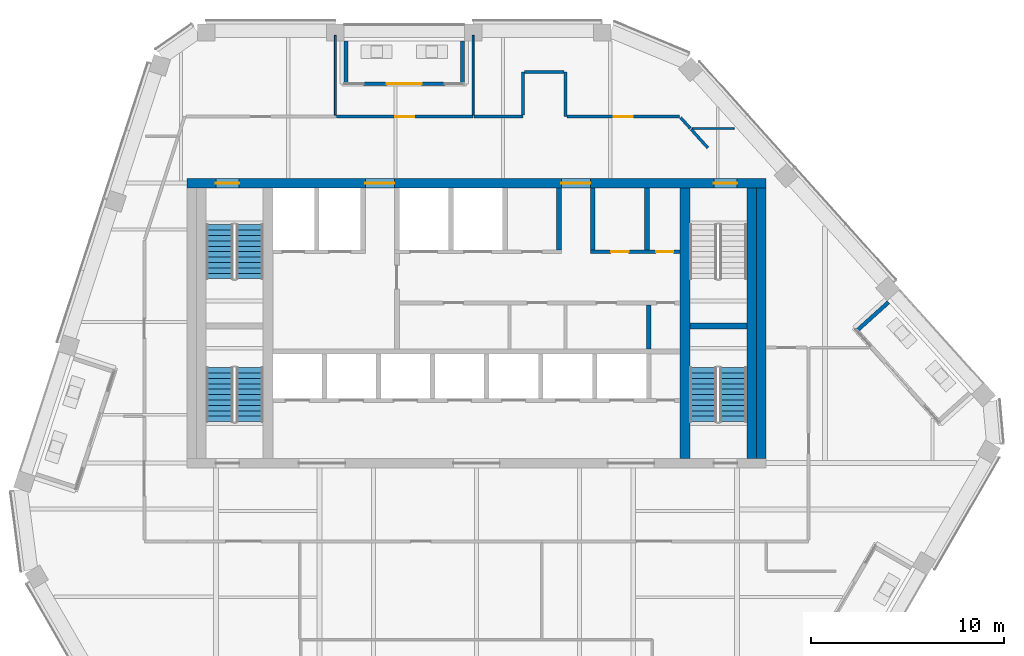
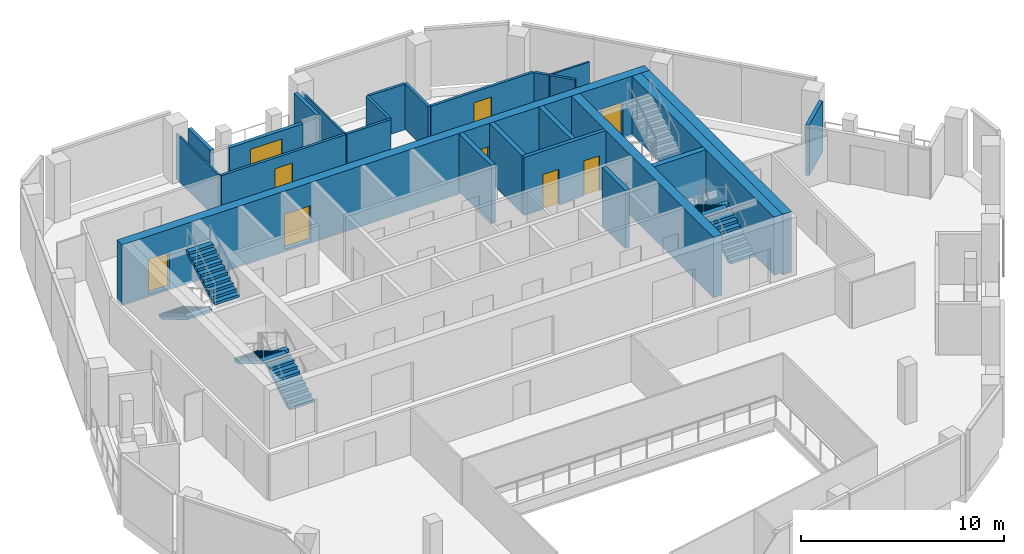
# One storey, part 13 of 20: 25 walls, 9 doors, 6 stair flights, 9 openings, 3 elements without a shape of their own.
"""IFC4 building model written with IfcOpenShell, lengths in metres."""

import ifcopenshell
import ifcopenshell.guid

model = None  # the IFC model being written
_history = None  # IfcOwnerHistory: only IFC2X3 demands one
_inside = {}  # id of a spatial element -> (the spatial element, [elements in it])
_under = {}  # id of a project, library or spatial element -> (it, [spatial elements below it])
_declared = {}  # id of a project -> (the project, [libraries it declares])
_typed = {}  # id of a type object -> (the type object, [elements of that type])
_made_of = {}  # id of a material, layer set ... -> (it, [elements and type objects made of it])


def new_model(schema):
    """Start an empty IFC model of exactly this schema.

    Asked for "IFC4X3", IfcOpenShell would pick the latest addendum, in which some entities
    have other attributes; the version numbers below select the first issue.
    IFC2X3 requires an IfcOwnerHistory on every rooted entity: one is made here for all.
    """
    global model, _history
    if schema == "IFC4X3":
        model = ifcopenshell.file(schema_version=(4, 3, 0, 0))
    else:
        model = ifcopenshell.file(schema=schema)
    _inside.clear()
    _under.clear()
    _declared.clear()
    _typed.clear()
    _made_of.clear()
    _history = None
    if model.schema == "IFC2X3":
        org = make("IfcOrganization", Name="unknown")
        user = make(
            "IfcPersonAndOrganization",
            ThePerson=make("IfcPerson", FamilyName="unknown"),
            TheOrganization=org,
        )
        app = make(
            "IfcApplication",
            ApplicationDeveloper=org,
            Version="unknown",
            ApplicationFullName="unknown",
            ApplicationIdentifier="unknown",
        )
        _history = make(
            "IfcOwnerHistory",
            OwningUser=user,
            OwningApplication=app,
            ChangeAction="ADDED",
            CreationDate=0,
        )
    return model


def make(cls, **values):
    """One entity of the class cls with the attributes given. An attribute that is None is left unset."""
    return model.create_entity(
        cls, **{name: value for name, value in values.items() if value is not None}
    )


def rooted(cls, **values):
    """An entity with a GlobalId (a new one), such as an element, a storey or a relation."""
    return make(cls, GlobalId=ifcopenshell.guid.new(), OwnerHistory=_history, **values)


def si_unit(unit_type, name, prefix=None):
    """IfcSIUnit, for example si_unit("LENGTHUNIT", "METRE", prefix="MILLI")."""
    return make("IfcSIUnit", UnitType=unit_type, Prefix=prefix, Name=name)


def assignment(units):
    """IfcUnitAssignment: the units of a project."""
    return None if units is None else make("IfcUnitAssignment", Units=units)


def point(xyz):
    """IfcCartesianPoint."""
    return None if xyz is None else make("IfcCartesianPoint", Coordinates=xyz)


def direction(xyz):
    """IfcDirection."""
    return None if xyz is None else make("IfcDirection", DirectionRatios=xyz)


def frame(location, z_axis=None, x_axis=None):
    """IfcAxis2Placement3D, a coordinate frame: its origin and axes. An axis left out is left unset."""
    return make(
        "IfcAxis2Placement3D",
        Location=point(location),
        Axis=direction(z_axis),
        RefDirection=direction(x_axis),
    )


def frame_2d(location, x_axis=None):
    """IfcAxis2Placement2D, a coordinate frame in the plane: its origin and x axis."""
    return make(
        "IfcAxis2Placement2D", Location=point(location), RefDirection=direction(x_axis)
    )


def origin():
    """The frame at (0, 0, 0) with its axes left unset."""
    return frame((0.0, 0.0, 0.0))


def place(relative_to, where):
    """IfcLocalPlacement: puts the frame where relative to a parent placement (None: the world)."""
    return make(
        "IfcLocalPlacement", PlacementRelTo=relative_to, RelativePlacement=where
    )


def context(
    kind, dimensions, precision=None, world=None, true_north=None, identifier=None
):
    """IfcGeometricRepresentationContext, for example the 3D "Model" context."""
    return make(
        "IfcGeometricRepresentationContext",
        ContextIdentifier=identifier,
        ContextType=kind,
        CoordinateSpaceDimension=dimensions,
        Precision=precision,
        WorldCoordinateSystem=world,
        TrueNorth=true_north,
    )


def subcontext(parent, identifier, kind, view, scale=None):
    """IfcGeometricRepresentationSubContext, for example "Body" below "Model"."""
    return make(
        "IfcGeometricRepresentationSubContext",
        ContextIdentifier=identifier,
        ContextType=kind,
        ParentContext=parent,
        TargetScale=scale,
        TargetView=view,
    )


def project(units=None, contexts=None):
    """IfcProject with its units and contexts."""
    return rooted(
        "IfcProject",
        Name="project",
        RepresentationContexts=contexts,
        UnitsInContext=assignment(units),
    )


def spatial(cls, under=None, at=None, **own):
    """A site, building, storey or space (cls), placed at a placement, below another one or the project."""
    s = rooted(cls, ObjectPlacement=at, **own)
    if under is not None:
        _under.setdefault(under.id(), (under, []))[1].append(s)
    return s


def polyline(points):
    """IfcPolyline through the points."""
    return make("IfcPolyline", Points=[point(p) for p in points])


def profile(cls, at=None, kind="AREA", **sizes):
    """A parametric profile (cls). Its sizes go by their IFC names, for example OverallWidth=200.0."""
    return make(cls, ProfileType=kind, Position=at, **sizes)


def rectangle(**sizes):
    """IfcRectangleProfileDef."""
    return profile("IfcRectangleProfileDef", **sizes)


def outline(outer, holes=None, kind="AREA"):
    """IfcArbitraryClosedProfileDef: a profile drawn as a closed curve; with holes, ...WithVoids."""
    if holes is None:
        return make("IfcArbitraryClosedProfileDef", ProfileType=kind, OuterCurve=outer)
    return make(
        "IfcArbitraryProfileDefWithVoids",
        ProfileType=kind,
        OuterCurve=outer,
        InnerCurves=holes,
    )


def extrude(swept, where, along, depth):
    """IfcExtrudedAreaSolid: the profile swept, set in the frame where, extruded along a direction by depth."""
    return make(
        "IfcExtrudedAreaSolid",
        SweptArea=swept,
        Position=where,
        ExtrudedDirection=direction(along),
        Depth=depth,
    )


def shape(context_of_items, identifier, shape_type, items):
    """IfcShapeRepresentation: the items that make up one representation, for example the "Body"."""
    return make(
        "IfcShapeRepresentation",
        ContextOfItems=context_of_items,
        RepresentationIdentifier=identifier,
        RepresentationType=shape_type,
        Items=items,
    )


def material(Name=None, Category=None):
    """IfcMaterial."""
    return make("IfcMaterial", Name=Name, Category=Category)


def layer(
    of_material, thickness, ventilated=None, Name=None, Category=None, Priority=None
):
    """IfcMaterialLayer: one layer of a wall or slab, of a material (None: an air gap)."""
    return make(
        "IfcMaterialLayer",
        Material=of_material,
        LayerThickness=thickness,
        IsVentilated=ventilated,
        Name=Name,
        Category=Category,
        Priority=Priority,
    )


def layer_set(layers, Name=None):
    """IfcMaterialLayerSet."""
    return make("IfcMaterialLayerSet", MaterialLayers=layers, LayerSetName=Name)


def made_of(thing, what):
    """Note that an element or type object is made of a material, layer set ...; save() writes the relation."""
    if what is not None:
        _made_of.setdefault(what.id(), (what, []))[1].append(thing)
    return thing


def type_object(cls, material=None, **own):
    """A type object (cls), such as IfcWallType, which elements share."""
    return made_of(rooted(cls, **own), material)


def element(
    cls,
    number,
    at=None,
    inside=None,
    cuts=None,
    type_object=None,
    material=None,
    context=None,
    identifier="Body",
    shape_type=None,
    held_by="IfcProductDefinitionShape",
    body=None,
    shapes=None,
    **own,
):
    """One element of the class cls, such as IfcWall. Its Tag is "e" and its number.

    at: its placement. inside: the storey or other place that contains it. cuts: it is an
    opening in that element (IfcRelVoidsElement). A single representation is given by context,
    identifier, shape_type and body (its items); several are given by shapes. held_by: the class
    of the entity that holds the representations. save() writes the other relations.
    """
    e = rooted(cls, Tag="e%d" % number, ObjectPlacement=at, **own)
    if body is not None:
        shapes = [shape(context, identifier, shape_type, body)]
    if shapes is not None:
        e.Representation = make(held_by, Representations=shapes)
    if inside is not None:
        _inside.setdefault(inside.id(), (inside, []))[1].append(e)
    if cuts is not None:
        rooted(
            "IfcRelVoidsElement", RelatingBuildingElement=cuts, RelatedOpeningElement=e
        )
    if type_object is not None:
        _typed.setdefault(type_object.id(), (type_object, []))[1].append(e)
    return made_of(e, material)


def fill(opening, filler):
    """IfcRelFillsElement: the door or window that sits in an opening."""
    return rooted(
        "IfcRelFillsElement",
        RelatingOpeningElement=opening,
        RelatedBuildingElement=filler,
    )


def aggregate(whole, parts):
    """IfcRelAggregates: a whole, such as a stair, and the parts it consists of."""
    return rooted("IfcRelAggregates", RelatingObject=whole, RelatedObjects=parts)


def save(model, path):
    """Write the relations noted so far, then the file.

    IfcRelAggregates (storeys below a building ...), IfcRelContainedInSpatialStructure (elements
    in a storey), IfcRelDefinesByType, IfcRelAssociatesMaterial and IfcRelDeclares: one each for
    every whole, place, type object, material and project.
    """
    for whole, parts in _under.values():
        aggregate(whole, parts)
    for where, things in _inside.values():
        rooted(
            "IfcRelContainedInSpatialStructure",
            RelatedElements=things,
            RelatingStructure=where,
        )
    for kind, things in _typed.values():
        rooted("IfcRelDefinesByType", RelatedObjects=things, RelatingType=kind)
    for what, things in _made_of.values():
        rooted("IfcRelAssociatesMaterial", RelatedObjects=things, RelatingMaterial=what)
    for by, libraries in _declared.values():
        rooted("IfcRelDeclares", RelatingContext=by, RelatedDefinitions=libraries)
    model.write(path)


model = new_model("IFC4")

# Units and contexts
model_context = context("Model", 3, precision=1e-05, world=origin(), true_north=direction((0.0, 1.0)))
body_context = subcontext(model_context, "Body", "Model", "MODEL_VIEW")
ifc_project = project(units=[si_unit("LENGTHUNIT", "METRE"), si_unit("AREAUNIT", "SQUARE_METRE"), si_unit("VOLUMEUNIT", "CUBIC_METRE"), si_unit("PLANEANGLEUNIT", "RADIAN"), si_unit("MASSUNIT", "GRAM", prefix="KILO")], contexts=[model_context])

# Site, building, storey
site_placement = place(None, origin())
site = spatial("IfcSite", under=ifc_project, at=site_placement, CompositionType="ELEMENT")
building_placement = place(site_placement, origin())
building = spatial("IfcBuilding", under=site, at=building_placement, Name="Isthmus Gate Tower", CompositionType="ELEMENT")
storey_placement = place(building_placement, frame((0.0, 0.0, 279.199951171875)))
storey = spatial("IfcBuildingStorey", under=building, at=storey_placement, Name="L71", CompositionType="ELEMENT", Elevation=279.199951171875)

# Wall
ifc_material_1 = material(Name="Gypsum board on steel studs, fire-rated", Category="steel")
ifc_layer_1 = layer(ifc_material_1, 0.14990234375)
ifc_layer_set_1 = layer_set([ifc_layer_1], Name="CORRIDOR WALL 150 60 MIN")
wall_type_1 = type_object("IfcWallType", Name="CORRIDOR WALL 150 60 MIN", PredefinedType="PARTITIONING", material=ifc_layer_set_1)
wall_1_placement = place(storey_placement, frame((4.60009765625, 20.5, 0.0), z_axis=(0.0, 0.0, 1.0), x_axis=(0.0, -1.0, 0.0)))
element("IfcWall", 1, at=wall_1_placement, inside=storey, type_object=wall_type_1, Name="L71 Corridor Wall 150 60 Min", PredefinedType="PARTITIONING", context=body_context, shape_type="SweptSolid", body=[
    extrude(rectangle(XDim=2.300048828125, YDim=0.14990234375, at=frame_2d((1.14990234375, 0.0))), origin(), (0.0, 0.0, 1.0), 2.750732421875),
])

# Wall, opening, door
wall_2_placement = place(storey_placement, frame((-7.260009765625, 18.199951171875, 0.0), z_axis=(0.0, 0.0, 1.0), x_axis=(1.0, 0.0, 0.0)))
wall_2 = element("IfcWall", 2, at=wall_2_placement, inside=storey, type_object=wall_type_1, Name="L71 Corridor Wall 150 60 Min", PredefinedType="PARTITIONING", context=body_context, shape_type="SweptSolid", body=[
    extrude(rectangle(XDim=7.0849609375, YDim=0.14990234375, at=frame_2d((3.54248046875, 0.0))), origin(), (0.0, 0.0, 1.0), 2.750732421875),
])
opening_1_placement = place(wall_2_placement, frame((3.04248046875, 0.0, 0.0)))
opening_1 = element("IfcOpeningElement", 3, at=opening_1_placement, cuts=wall_2, Name="Opening DT-T6B-02", PredefinedType="OPENING", context=body_context, shape_type="SweptSolid", body=[
    extrude(rectangle(XDim=1.0, YDim=2.10009765625, at=frame_2d((0.5, 1.050048828125))), frame((0.0, 0.0849609375, 0.0), z_axis=(0.0, -1.0, 0.0), x_axis=(1.0, 0.0, 0.0)), (0.0, 0.0, 1.0), 0.169921875),
])
ifc_material_2 = material(Name="Solid core timber door leaf, fire-rated", Category="wood")
door_type_1 = type_object("IfcDoorType", Name="FIRE DOOR ROOM 1000 X 2100 60 MIN", OperationType="SINGLE_SWING_LEFT", PredefinedType="DOOR", material=ifc_material_2)
door_1_placement = place(opening_1_placement, origin())
door_1 = element("IfcDoor", 4, at=door_1_placement, inside=storey, type_object=door_type_1, Name="L71 room door", OperationType="SINGLE_SWING_RIGHT", OverallHeight=2.10009765625, OverallWidth=1.0, PredefinedType="DOOR", context=body_context, shape_type="SweptSolid", body=[
    extrude(rectangle(XDim=1.0, YDim=2.10009765625, at=frame_2d((0.5, 1.050048828125))), frame((0.0, 0.02490234375, 0.0), z_axis=(0.0, -1.0, 0.0), x_axis=(1.0, 0.0, 0.0)), (0.0, 0.0, 1.0), 0.050048828125),
])
fill(opening_1, door_1)

# Walls
wall_3_placement = place(storey_placement, frame((-0.125, 18.199951171875, 0.0), z_axis=(0.0, 0.0, 1.0), x_axis=(1.0, 0.0, 0.0)))
element("IfcWall", 5, at=wall_3_placement, inside=storey, type_object=wall_type_1, Name="L71 Corridor Wall 150 60 Min", PredefinedType="PARTITIONING", context=body_context, shape_type="SweptSolid", body=[
    extrude(rectangle(XDim=2.52490234375, YDim=0.14990234375, at=frame_2d((1.262451171875, 0.0))), origin(), (0.0, 0.0, 1.0), 2.750732421875),
])
wall_4_placement = place(storey_placement, frame((2.39990234375, 18.27490234375, 0.0), z_axis=(0.0, 0.0, 1.0), x_axis=(0.0, 1.0, 0.0)))
element("IfcWall", 6, at=wall_4_placement, inside=storey, type_object=wall_type_1, Name="L71 Corridor Wall 150 60 Min", PredefinedType="PARTITIONING", context=body_context, shape_type="SweptSolid", body=[
    extrude(rectangle(XDim=2.22509765625, YDim=0.14990234375, at=frame_2d((1.112548828125, 0.0))), origin(), (0.0, 0.0, 1.0), 2.750732421875),
])
wall_5_placement = place(storey_placement, frame((2.47509765625, 20.5, 0.0), z_axis=(0.0, 0.0, 1.0), x_axis=(1.0, 0.0, 0.0)))
element("IfcWall", 7, at=wall_5_placement, inside=storey, type_object=wall_type_1, Name="L71 Corridor Wall 150 60 Min", PredefinedType="PARTITIONING", context=body_context, shape_type="SweptSolid", body=[
    extrude(rectangle(XDim=2.0498046875, YDim=0.14990234375, at=frame_2d((1.02490234375, 0.0))), origin(), (0.0, 0.0, 1.0), 2.750732421875),
])

# Wall, opening, door
wall_6_placement = place(storey_placement, frame((4.675048828125, 18.199951171875, 0.0), z_axis=(0.0, 0.0, 1.0), x_axis=(1.0, 0.0, 0.0)))
wall_6 = element("IfcWall", 8, at=wall_6_placement, inside=storey, type_object=wall_type_1, Name="L71 Corridor Wall 150 60 Min", PredefinedType="PARTITIONING", context=body_context, shape_type="SweptSolid", body=[
    extrude(rectangle(XDim=5.846923828125, YDim=0.14990234375, at=frame_2d((2.92333984375, 0.0))), origin(), (0.0, 0.0, 1.0), 2.750732421875),
])
opening_2_placement = place(wall_6_placement, frame((2.423583984375, 0.0, 0.0)))
opening_2 = element("IfcOpeningElement", 9, at=opening_2_placement, cuts=wall_6, Name="Opening DT-T6B-03", PredefinedType="OPENING", context=body_context, shape_type="SweptSolid", body=[
    extrude(rectangle(XDim=1.0, YDim=2.10009765625, at=frame_2d((0.5, 1.050048828125))), frame((0.0, 0.0849609375, 0.0), z_axis=(0.0, -1.0, 0.0), x_axis=(1.0, 0.0, 0.0)), (0.0, 0.0, 1.0), 0.169921875),
])
door_2_placement = place(opening_2_placement, origin())
door_2 = element("IfcDoor", 10, at=door_2_placement, inside=storey, type_object=door_type_1, Name="L71 room door", OperationType="SINGLE_SWING_RIGHT", OverallHeight=2.10009765625, OverallWidth=1.0, PredefinedType="DOOR", context=body_context, shape_type="SweptSolid", body=[
    extrude(rectangle(XDim=1.0, YDim=2.10009765625, at=frame_2d((0.5, 1.050048828125))), frame((0.0, 0.02490234375, 0.0), z_axis=(0.0, -1.0, 0.0), x_axis=(1.0, 0.0, 0.0)), (0.0, 0.0, 1.0), 0.050048828125),
])
fill(opening_2, door_2)

# Walls
wall_7_placement = place(storey_placement, frame((10.572265625, 18.144287109375, 0.0), z_axis=(0.0, 0.0, 1.0), x_axis=(0.668982500835, -0.743278153572, 0.0)))
element("IfcWall", 11, at=wall_7_placement, inside=storey, type_object=wall_type_1, Name="L71 Corridor Wall 150 60 Min", PredefinedType="PARTITIONING", context=body_context, shape_type="SweptSolid", body=[
    extrude(rectangle(XDim=0.759033203125, YDim=0.14990234375, at=frame_2d((0.37939453125, 0.0))), origin(), (0.0, 0.0, 1.0), 2.750732421875),
])
wall_8_placement = place(storey_placement, frame((11.113525390625, 17.542724609375, 0.0), z_axis=(0.0, 0.0, 1.0), x_axis=(0.66906841405, -0.743200818972, 0.0)))
element("IfcWall", 12, at=wall_8_placement, inside=storey, type_object=wall_type_1, Name="L71 Corridor Wall 150 60 Min", PredefinedType="PARTITIONING", context=body_context, shape_type="SweptSolid", body=[
    extrude(rectangle(XDim=1.30078125, YDim=0.14990234375, at=frame_2d((0.650390625, 0.0))), origin(), (0.0, 0.0, 1.0), 2.750732421875),
])

# Wall, opening, door
ifc_material_3 = material(Name="Precast concrete C40/50", Category="concrete")
ifc_layer_2 = layer(ifc_material_3, 0.199951171875)
ifc_layer_set_2 = layer_set([ifc_layer_2], Name="LOGGIA WALL 200")
wall_type_2 = type_object("IfcWallType", Name="LOGGIA WALL 200", PredefinedType="SOLIDWALL", material=ifc_layer_set_2)
wall_9_placement = place(storey_placement, frame((-1.642333984375, 19.89990234375, 0.0), z_axis=(0.0, 0.0, 1.0), x_axis=(-1.0, 0.0, 0.0)))
wall_9 = element("IfcWall", 13, at=wall_9_placement, inside=storey, type_object=wall_type_2, Name="LOGGIA BACK WALL", PredefinedType="SOLIDWALL", context=body_context, shape_type="SweptSolid", body=[
    extrude(rectangle(XDim=4.199951171875, YDim=0.199951171875, at=frame_2d((2.10009765625, 0.0))), origin(), (0.0, 0.0, 1.0), 2.89990234375),
])
opening_3_placement = place(wall_9_placement, frame((1.199951171875, 0.0, 0.0)))
opening_3 = element("IfcOpeningElement", 14, at=opening_3_placement, cuts=wall_9, Name="Opening DE71-01", PredefinedType="OPENING", context=body_context, shape_type="SweptSolid", body=[
    extrude(rectangle(XDim=1.800048828125, YDim=2.39990234375, at=frame_2d((0.89990234375, 1.199951171875))), frame((0.0, 0.10986328125, 0.0), z_axis=(0.0, -1.0, 0.0), x_axis=(1.0, 0.0, 0.0)), (0.0, 0.0, 1.0), 0.219970703125),
])
ifc_material_4 = material(Name="Aluminium, pale champagne anodised, laminated glass", Category="aluminium")
door_type_2 = type_object("IfcDoorType", Name="LOGGIA DOOR SLIDING 1800 X 2400", OperationType="DOUBLE_DOOR_SLIDING", PredefinedType="DOOR", material=ifc_material_4)
door_3_placement = place(opening_3_placement, origin())
door_3 = element("IfcDoor", 15, at=door_3_placement, inside=storey, type_object=door_type_2, Name="DOOR DE71-01", OperationType="SINGLE_SWING_LEFT", OverallHeight=2.39990234375, OverallWidth=1.800048828125, PredefinedType="DOOR", context=body_context, shape_type="SweptSolid", body=[
    extrude(rectangle(XDim=1.800048828125, YDim=2.39990234375, at=frame_2d((0.89990234375, 1.199951171875))), frame((0.0, 0.02490234375, 0.0), z_axis=(0.0, -1.0, 0.0), x_axis=(1.0, 0.0, 0.0)), (0.0, 0.0, 1.0), 0.050048828125),
])
fill(opening_3, door_3)

# Walls
for number, where, z_axis, x_axis, name in (
    (16, (-0.72509765625, 22.10009765625, 0.0), (0.0, 0.0, 1.0), (0.0, -1.0, 0.0), "LOGGIA SIDE WALL"),
    (17, (-6.759521484375, 22.10009765625, 0.0), (0.0, 0.0, 1.0), (0.0, -1.0, 0.0), "LOGGIA SIDE WALL"),
    (18, (21.33642578125, 8.580322265625, 0.0), (0.0, 0.0, 1.0), (-0.743138493482, -0.669137638686, 0.0), "LOGGIA SIDE WALL"),
):
    element("IfcWall", number, at=place(storey_placement, frame(where, z_axis=z_axis, x_axis=x_axis)), inside=storey, type_object=wall_type_2, Name=name, PredefinedType="SOLIDWALL", context=body_context, shape_type="SweptSolid", body=[
        extrude(rectangle(XDim=2.18408203125, YDim=0.199951171875, at=frame_2d((1.092041015625, 0.0))), origin(), (0.0, 0.0, 1.0), 3.050048828125),
    ])
ifc_material_5 = material(Name="Concrete f'c 50 MPa", Category="concrete")
ifc_layer_3 = layer(ifc_material_5, 0.5)
ifc_layer_set_3 = layer_set([ifc_layer_3], Name="RC CORE SPINE WALL 500 F'C 50")
wall_type_3 = type_object("IfcWallType", Name="RC CORE SPINE WALL 500 F'C 50", PredefinedType="SOLIDWALL", material=ifc_layer_set_3)
wall_10_placement = place(storey_placement, frame((10.800048828125, 0.5, -0.14990234375), z_axis=(0.0, 0.0, 1.0), x_axis=(0.0, 1.0, 0.0)))
element("IfcWall", 19, at=wall_10_placement, inside=storey, type_object=wall_type_3, Name="str-corewall-L71-SPE", PredefinedType="SOLIDWALL", context=body_context, shape_type="SweptSolid", body=[
    extrude(rectangle(XDim=14.0, YDim=0.5, at=frame_2d((7.0, 0.0))), origin(), (0.0, 0.0, 1.0), 3.64990234375),
])

# Wall, openings, doors
ifc_material_6 = material(Name="Concrete f'c 50 MPa", Category="concrete")
ifc_layer_4 = layer(ifc_material_6, 0.5)
ifc_layer_set_4 = layer_set([ifc_layer_4], Name="RC CORE WALL 500 F'C 50")
wall_type_4 = type_object("IfcWallType", Name="RC CORE WALL 500 F'C 50", PredefinedType="SOLIDWALL", material=ifc_layer_set_4)
wall_11_placement = place(storey_placement, frame((-15.0, 14.75, -0.14990234375), z_axis=(0.0, 0.0, 1.0), x_axis=(1.0, 0.0, 0.0)))
wall_11 = element("IfcWall", 20, at=wall_11_placement, inside=storey, type_object=wall_type_4, Name="str-corewall-L71-N", PredefinedType="SOLIDWALL", context=body_context, shape_type="SweptSolid", body=[
    extrude(rectangle(XDim=30.0, YDim=0.5, at=frame_2d((15.0, 0.0))), origin(), (0.0, 0.0, 1.0), 3.64990234375),
])
opening_4_placement = place(wall_11_placement, frame((9.25, 0.0, 0.14990234375)))
opening_4 = element("IfcOpeningElement", 21, at=opening_4_placement, cuts=wall_11, Name="Opening DC-A17-13", PredefinedType="OPENING", context=body_context, shape_type="SweptSolid", body=[
    extrude(rectangle(XDim=1.5, YDim=2.10009765625, at=frame_2d((0.75, 1.050048828125))), frame((0.0, 0.260009765625, 0.0), z_axis=(0.0, -1.0, 0.0), x_axis=(1.0, 0.0, 0.0)), (0.0, 0.0, 1.0), 0.52001953125),
])
opening_5_placement = place(wall_11_placement, frame((19.39990234375, 0.0, 0.14990234375)))
opening_5 = element("IfcOpeningElement", 22, at=opening_5_placement, cuts=wall_11, Name="Opening DC-A17-14", PredefinedType="OPENING", context=body_context, shape_type="SweptSolid", body=[
    extrude(rectangle(XDim=1.5, YDim=2.10009765625, at=frame_2d((0.75, 1.050048828125))), frame((0.0, 0.260009765625, 0.0), z_axis=(0.0, -1.0, 0.0), x_axis=(1.0, 0.0, 0.0)), (0.0, 0.0, 1.0), 0.52001953125),
])
opening_6_placement = place(wall_11_placement, frame((1.5, 0.0, 0.14990234375)))
opening_6 = element("IfcOpeningElement", 23, at=opening_6_placement, cuts=wall_11, Name="Opening DC-A17-15", PredefinedType="OPENING", context=body_context, shape_type="SweptSolid", body=[
    extrude(rectangle(XDim=1.199951171875, YDim=2.10009765625, at=frame_2d((0.60009765625, 1.050048828125))), frame((0.0, 0.260009765625, 0.0), z_axis=(0.0, -1.0, 0.0), x_axis=(1.0, 0.0, 0.0)), (0.0, 0.0, 1.0), 0.52001953125),
])
opening_7_placement = place(wall_11_placement, frame((27.300048828125, 0.0, 0.14990234375)))
opening_7 = element("IfcOpeningElement", 24, at=opening_7_placement, cuts=wall_11, Name="Opening DC-A17-16", PredefinedType="OPENING", context=body_context, shape_type="SweptSolid", body=[
    extrude(rectangle(XDim=1.199951171875, YDim=2.10009765625, at=frame_2d((0.60009765625, 1.050048828125))), frame((0.0, 0.260009765625, 0.0), z_axis=(0.0, -1.0, 0.0), x_axis=(1.0, 0.0, 0.0)), (0.0, 0.0, 1.0), 0.52001953125),
])
ifc_material_7 = material(Name="Steel door leaf, fire-rated", Category="steel")
door_type_3 = type_object("IfcDoorType", Name="LOBBY FIRE DOOR 1500 X 2100 60 MIN", OperationType="DOUBLE_DOOR_SINGLE_SWING", PredefinedType="DOOR", material=ifc_material_7)
door_4_placement = place(opening_5_placement, origin())
door_4 = element("IfcDoor", 25, at=door_4_placement, inside=storey, type_object=door_type_3, Name="Lobby Door PN-E", OperationType="DOUBLE_DOOR_SINGLE_SWING", OverallHeight=2.10009765625, OverallWidth=1.5, PredefinedType="DOOR", context=body_context, shape_type="SweptSolid", body=[
    extrude(rectangle(XDim=1.5, YDim=2.10009765625, at=frame_2d((0.75, 1.050048828125))), frame((0.0, 0.02490234375, 0.0), z_axis=(0.0, -1.0, 0.0), x_axis=(1.0, 0.0, 0.0)), (0.0, 0.0, 1.0), 0.050048828125),
])
fill(opening_5, door_4)
ifc_material_8 = material(Name="Steel door leaf, fire-rated", Category="steel")
door_type_4 = type_object("IfcDoorType", Name="LOBBY FIRE DOOR 1500 X 2100 90 MIN", OperationType="DOUBLE_DOOR_SINGLE_SWING", PredefinedType="DOOR", material=ifc_material_8)
door_5_placement = place(opening_4_placement, origin())
door_5 = element("IfcDoor", 26, at=door_5_placement, inside=storey, type_object=door_type_4, Name="Lobby Door PN-W", OperationType="DOUBLE_DOOR_SINGLE_SWING", OverallHeight=2.10009765625, OverallWidth=1.5, PredefinedType="DOOR", context=body_context, shape_type="SweptSolid", body=[
    extrude(rectangle(XDim=1.5, YDim=2.10009765625, at=frame_2d((0.75, 1.050048828125))), frame((0.0, 0.02490234375, 0.0), z_axis=(0.0, -1.0, 0.0), x_axis=(1.0, 0.0, 0.0)), (0.0, 0.0, 1.0), 0.050048828125),
])
fill(opening_4, door_5)
ifc_material_9 = material(Name="Steel door leaf, fire-rated", Category="steel")
door_type_5 = type_object("IfcDoorType", Name="STAIR FIRE DOOR 1200 X 2100 90 MIN", OperationType="SINGLE_SWING_LEFT", PredefinedType="DOOR", material=ifc_material_9)
door_6_placement = place(opening_6_placement, origin())
door_6 = element("IfcDoor", 27, at=door_6_placement, inside=storey, type_object=door_type_5, Name="Exit Stair 1 Door", OperationType="SINGLE_SWING_RIGHT", OverallHeight=2.10009765625, OverallWidth=1.199951171875, PredefinedType="DOOR", context=body_context, shape_type="SweptSolid", body=[
    extrude(rectangle(XDim=1.199951171875, YDim=2.10009765625, at=frame_2d((0.60009765625, 1.050048828125))), frame((0.0, 0.02490234375, 0.0), z_axis=(0.0, -1.0, 0.0), x_axis=(1.0, 0.0, 0.0)), (0.0, 0.0, 1.0), 0.050048828125),
])
fill(opening_6, door_6)
door_7_placement = place(opening_7_placement, origin())
door_7 = element("IfcDoor", 28, at=door_7_placement, inside=storey, type_object=door_type_5, Name="Exit Stair 2 Door", OperationType="SINGLE_SWING_LEFT", OverallHeight=2.10009765625, OverallWidth=1.199951171875, PredefinedType="DOOR", context=body_context, shape_type="SweptSolid", body=[
    extrude(rectangle(XDim=1.199951171875, YDim=2.10009765625, at=frame_2d((0.60009765625, 1.050048828125))), frame((0.0, 0.02490234375, 0.0), z_axis=(0.0, -1.0, 0.0), x_axis=(1.0, 0.0, 0.0)), (0.0, 0.0, 1.0), 0.050048828125),
])
fill(opening_7, door_7)

# Walls
wall_12_placement = place(storey_placement, frame((14.75, 0.5, -0.14990234375), z_axis=(0.0, 0.0, 1.0), x_axis=(0.0, 1.0, 0.0)))
element("IfcWall", 29, at=wall_12_placement, inside=storey, type_object=wall_type_4, Name="str-corewall-L71-E", PredefinedType="SOLIDWALL", context=body_context, shape_type="SweptSolid", body=[
    extrude(rectangle(XDim=14.0, YDim=0.5, at=frame_2d((7.0, 0.0))), origin(), (0.0, 0.0, 1.0), 3.64990234375),
])
ifc_material_10 = material(Name="Gypsum board on steel studs, fire-rated", Category="steel")
ifc_layer_5 = layer(ifc_material_10, 0.10009765625)
ifc_layer_set_5 = layer_set([ifc_layer_5], Name="ROOM PARTITION 100 30 MIN")
wall_type_5 = type_object("IfcWallType", Name="ROOM PARTITION 100 30 MIN", PredefinedType="PARTITIONING", material=ifc_layer_set_5)
for number, where, z_axis, x_axis, name in (
    (30, (-7.31005859375, 18.27490234375, 0.0), (0.0, 0.0, 1.0), (0.0, 1.0, 0.0), "L71 Room Partition 100 30 Min"),
    (31, (-0.175048828125, 18.27490234375, 0.0), (0.0, 0.0, 1.0), (0.0, 1.0, 0.0), "L71 Room Partition 100 30 Min"),
):
    element("IfcWall", number, at=place(storey_placement, frame(where, z_axis=z_axis, x_axis=x_axis)), inside=storey, type_object=wall_type_5, Name=name, PredefinedType="PARTITIONING", context=body_context, shape_type="SweptSolid", body=[
        extrude(rectangle(XDim=4.125, YDim=0.10009765625, at=frame_2d((2.0625, 0.0))), origin(), (0.0, 0.0, 1.0), 2.750732421875),
    ])
wall_13_placement = place(storey_placement, frame((11.180908203125, 17.580078125, 0.0), z_axis=(0.0, 0.0, 1.0), x_axis=(1.0, 0.0, 0.0)))
element("IfcWall", 32, at=wall_13_placement, inside=storey, type_object=wall_type_5, Name="L71 Room Partition 100 30 Min", PredefinedType="PARTITIONING", context=body_context, shape_type="SweptSolid", body=[
    extrude(rectangle(XDim=2.156005859375, YDim=0.10009765625, at=frame_2d((1.078125, 0.0))), origin(), (0.0, 0.0, 1.0), 2.750732421875),
])

# Wall, openings, doors
ifc_material_11 = material(Name="Fire-rated blockwork masonry, 15 MPa", Category="masonry")
ifc_layer_6 = layer(ifc_material_11, 0.199951171875)
ifc_layer_set_6 = layer_set([ifc_layer_6], Name="SHAFT FRONT WALL 200 120 MIN")
wall_type_6 = type_object("IfcWallType", Name="SHAFT FRONT WALL 200 120 MIN", PredefinedType="PARTITIONING", material=ifc_layer_set_6)
wall_14_placement = place(storey_placement, frame((5.89990234375, 11.199951171875, 0.0), z_axis=(0.0, 0.0, 1.0), x_axis=(1.0, 0.0, 0.0)))
wall_14 = element("IfcWall", 33, at=wall_14_placement, inside=storey, type_object=wall_type_6, Name="L71 SHAFT FRONT WALL 200 120 MIN", PredefinedType="PARTITIONING", context=body_context, shape_type="SweptSolid", body=[
    extrude(rectangle(XDim=4.650146484375, YDim=0.199951171875, at=frame_2d((2.3251953125, 0.0))), origin(), (0.0, 0.0, 1.0), 3.5),
])
opening_8_placement = place(wall_14_placement, frame((1.074951171875, 0.0, 0.0)))
opening_8 = element("IfcOpeningElement", 34, at=opening_8_placement, cuts=wall_14, Name="Opening DC-A17-08", PredefinedType="OPENING", context=body_context, shape_type="SweptSolid", body=[
    extrude(rectangle(XDim=0.89990234375, YDim=2.10009765625, at=frame_2d((0.449951171875, 1.050048828125))), frame((0.0, 0.10986328125, 0.0), z_axis=(0.0, -1.0, 0.0), x_axis=(1.0, 0.0, 0.0)), (0.0, 0.0, 1.0), 0.219970703125),
])
opening_9_placement = place(wall_14_placement, frame((3.39990234375, 0.0, 0.0)))
opening_9 = element("IfcOpeningElement", 35, at=opening_9_placement, cuts=wall_14, Name="Opening DC-A17-09", PredefinedType="OPENING", context=body_context, shape_type="SweptSolid", body=[
    extrude(rectangle(XDim=0.89990234375, YDim=2.10009765625, at=frame_2d((0.449951171875, 1.050048828125))), frame((0.0, 0.10986328125, 0.0), z_axis=(0.0, -1.0, 0.0), x_axis=(1.0, 0.0, 0.0)), (0.0, 0.0, 1.0), 0.219970703125),
])
ifc_material_12 = material(Name="Steel door leaf, fire-rated", Category="steel")
door_type_6 = type_object("IfcDoorType", Name="FIRE DOOR 900 X 2100 60 MIN", OperationType="SINGLE_SWING_LEFT", PredefinedType="DOOR", material=ifc_material_12)
door_8_placement = place(opening_8_placement, origin())
door_8 = element("IfcDoor", 36, at=door_8_placement, inside=storey, type_object=door_type_6, Name="Cleaner Store Door", OperationType="SINGLE_SWING_RIGHT", OverallHeight=2.10009765625, OverallWidth=0.89990234375, PredefinedType="DOOR", context=body_context, shape_type="SweptSolid", body=[
    extrude(rectangle(XDim=0.89990234375, YDim=2.10009765625, at=frame_2d((0.449951171875, 1.050048828125))), frame((0.0, 0.02490234375, 0.0), z_axis=(0.0, -1.0, 0.0), x_axis=(1.0, 0.0, 0.0)), (0.0, 0.0, 1.0), 0.050048828125),
])
fill(opening_8, door_8)
ifc_material_13 = material(Name="Steel door leaf, fire-rated", Category="steel")
door_type_7 = type_object("IfcDoorType", Name="RISER FIRE DOOR 900 X 2100 90 MIN", OperationType="SINGLE_SWING_LEFT", PredefinedType="DOOR", material=ifc_material_13)
door_9_placement = place(opening_9_placement, origin())
door_9 = element("IfcDoor", 37, at=door_9_placement, inside=storey, type_object=door_type_7, Name="Riser Door", OperationType="SINGLE_SWING_LEFT", OverallHeight=2.10009765625, OverallWidth=0.89990234375, PredefinedType="DOOR", context=body_context, shape_type="SweptSolid", body=[
    extrude(rectangle(XDim=0.89990234375, YDim=2.10009765625, at=frame_2d((0.449951171875, 1.050048828125))), frame((0.0, 0.02490234375, 0.0), z_axis=(0.0, -1.0, 0.0), x_axis=(1.0, 0.0, 0.0)), (0.0, 0.0, 1.0), 0.050048828125),
])
fill(opening_9, door_9)

# Walls
ifc_material_14 = material(Name="Fire-rated blockwork masonry, 15 MPa", Category="masonry")
ifc_layer_7 = layer(ifc_material_14, 0.25)
ifc_layer_set_7 = layer_set([ifc_layer_7], Name="SHAFT WALL 250 120 MIN")
wall_type_7 = type_object("IfcWallType", Name="SHAFT WALL 250 120 MIN", PredefinedType="PARTITIONING", material=ifc_layer_set_7)
wall_15_placement = place(storey_placement, frame((8.925048828125, 6.14990234375, 0.0), z_axis=(0.0, 0.0, 1.0), x_axis=(0.0, 1.0, 0.0)))
element("IfcWall", 38, at=wall_15_placement, inside=storey, type_object=wall_type_7, Name="L71 SHAFT WALL 250 120 MIN", PredefinedType="PARTITIONING", context=body_context, shape_type="SweptSolid", body=[
    extrude(rectangle(XDim=2.300048828125, YDim=0.25, at=frame_2d((1.14990234375, 0.0))), origin(), (0.0, 0.0, 1.0), 3.5),
])
for number, where, z_axis, x_axis, name in (
    (39, (4.27490234375, 11.300048828125, 0.0), (0.0, 0.0, 1.0), (0.0, 1.0, 0.0), "L71 SHAFT WALL 250 120 MIN"),
    (40, (6.02490234375, 11.300048828125, 0.0), (0.0, 0.0, 1.0), (0.0, 1.0, 0.0), "L71 SHAFT WALL 250 120 MIN"),
    (41, (8.824951171875, 11.300048828125, 0.0), (0.0, 0.0, 1.0), (0.0, 1.0, 0.0), "L71 SHAFT WALL 250 120 MIN"),
):
    element("IfcWall", number, at=place(storey_placement, frame(where, z_axis=z_axis, x_axis=x_axis)), inside=storey, type_object=wall_type_7, Name=name, PredefinedType="PARTITIONING", context=body_context, shape_type="SweptSolid", body=[
        extrude(rectangle(XDim=3.199951171875, YDim=0.25, at=frame_2d((1.60009765625, 0.0))), origin(), (0.0, 0.0, 1.0), 3.5),
    ])
ifc_material_15 = material(Name="Concrete f'c 40 MPa", Category="concrete")
ifc_layer_8 = layer(ifc_material_15, 0.300048828125)
ifc_layer_set_8 = layer_set([ifc_layer_8], Name="STAIR ENCLOSURE WALL 300 180 MIN")
wall_type_8 = type_object("IfcWallType", Name="STAIR ENCLOSURE WALL 300 180 MIN", PredefinedType="SOLIDWALL", material=ifc_layer_set_8)
wall_16_placement = place(storey_placement, frame((11.050048828125, 7.35009765625, 0.0), z_axis=(0.0, 0.0, 1.0), x_axis=(1.0, 0.0, 0.0)))
element("IfcWall", 42, at=wall_16_placement, inside=storey, type_object=wall_type_8, Name="L71 STAIR ENCLOSURE WALL 300 180 MIN", PredefinedType="SOLIDWALL", context=body_context, shape_type="SweptSolid", body=[
    extrude(rectangle(XDim=2.949951171875, YDim=0.300048828125, at=frame_2d((1.47509765625, 0.0))), origin(), (0.0, 0.0, 1.0), 3.5),
])
ifc_material_16 = material(Name="Concrete f'c 40 MPa", Category="concrete")
ifc_layer_9 = layer(ifc_material_16, 0.5)
ifc_layer_set_9 = layer_set([ifc_layer_9], Name="STAIR ENCLOSURE WALL 500 180 MIN")
wall_type_9 = type_object("IfcWallType", Name="STAIR ENCLOSURE WALL 500 180 MIN", PredefinedType="SOLIDWALL", material=ifc_layer_set_9)
wall_17_placement = place(storey_placement, frame((14.25, 0.5, 0.0), z_axis=(0.0, 0.0, 1.0), x_axis=(0.0, 1.0, 0.0)))
element("IfcWall", 43, at=wall_17_placement, inside=storey, type_object=wall_type_9, Name="L71 STAIR ENCLOSURE WALL 500 180 MIN", PredefinedType="SOLIDWALL", context=body_context, shape_type="SweptSolid", body=[
    extrude(rectangle(XDim=14.0, YDim=0.5, at=frame_2d((7.0, 0.0))), origin(), (0.0, 0.0, 1.0), 3.5),
])

# Stair, stair flights
ifc_material_17 = material(Name="Concrete f'c 40 MPa", Category="concrete")
stair_type = type_object("IfcStairType", Name="CORE STAIR 22 RISERS", PredefinedType="HALF_TURN_STAIR", material=ifc_material_17)
stair_1_placement = place(storey_placement, origin())
stair_1 = element("IfcStair", 44, at=stair_1_placement, inside=storey, type_object=stair_type, Name="L71 Exit Stair 1", PredefinedType="HALF_TURN_STAIR")
ifc_material_18 = material(Name="Concrete f'c 40 MPa", Category="concrete")
stair_flight_type = type_object("IfcStairFlightType", Name="STAIR FLIGHT RC 1400", PredefinedType="STRAIGHT", material=ifc_material_18)
stair_flight_1_placement = place(storey_placement, frame((-13.300048828125, 12.60009765625, 0.0), z_axis=(0.0, 0.0, 1.0), x_axis=(0.0, -1.0, 0.0)))
stair_flight_1 = element("IfcStairFlight", 45, at=stair_flight_1_placement, type_object=stair_flight_type, Name="ST1 flight 1", NumberOfRisers=11, NumberOfTreads=10, PredefinedType="STRAIGHT", RiserHeight=0.165909091, TreadLength=0.28, context=body_context, shape_type="SweptSolid", body=[
    extrude(outline(polyline([(0.0, 0.0), (0.0, 0.166015625), (0.280029296875, 0.166015625), (0.280029296875, 0.331787109375), (0.56005859375, 0.331787109375), (0.56005859375, 0.497802734375), (0.840087890625, 0.497802734375), (0.840087890625, 0.66357421875), (1.1201171875, 0.66357421875), (1.1201171875, 0.82958984375), (1.39990234375, 0.82958984375), (1.39990234375, 0.995361328125), (1.679931640625, 0.995361328125), (1.679931640625, 1.161376953125), (1.9599609375, 1.161376953125), (1.9599609375, 1.327392578125), (2.239990234375, 1.327392578125), (2.239990234375, 1.4931640625), (2.52001953125, 1.4931640625), (2.52001953125, 1.6591796875), (2.800048828125, 1.6591796875), (2.800048828125, 1.824951171875), (2.800048828125, 1.48486328125), (0.2939453125, 0.0), (0.0, 0.0)])), frame((0.0, 0.699951171875, 0.0), z_axis=(0.0, -1.0, 0.0), x_axis=(1.0, 0.0, 0.0)), (0.0, 0.0, 1.0), 1.39990234375),
])
stair_flight_2_placement = place(storey_placement, frame((-11.75, 9.800048828125, 1.824951171875), z_axis=(0.0, 0.0, 1.0), x_axis=(0.0, 1.0, 0.0)))
stair_flight_2 = element("IfcStairFlight", 46, at=stair_flight_2_placement, type_object=stair_flight_type, Name="ST1 flight 2", NumberOfRisers=11, NumberOfTreads=10, PredefinedType="STRAIGHT", RiserHeight=0.165909091, TreadLength=0.28, context=body_context, shape_type="SweptSolid", body=[
    extrude(outline(polyline([(0.0, 0.0), (0.0, 0.166015625), (0.280029296875, 0.166015625), (0.280029296875, 0.331787109375), (0.56005859375, 0.331787109375), (0.56005859375, 0.497802734375), (0.840087890625, 0.497802734375), (0.840087890625, 0.66357421875), (1.1201171875, 0.66357421875), (1.1201171875, 0.82958984375), (1.39990234375, 0.82958984375), (1.39990234375, 0.995361328125), (1.679931640625, 0.995361328125), (1.679931640625, 1.161376953125), (1.9599609375, 1.161376953125), (1.9599609375, 1.327392578125), (2.239990234375, 1.327392578125), (2.239990234375, 1.4931640625), (2.52001953125, 1.4931640625), (2.52001953125, 1.6591796875), (2.800048828125, 1.6591796875), (2.800048828125, 1.824951171875), (2.800048828125, 1.48486328125), (0.2939453125, 0.0), (0.0, 0.0)])), frame((0.0, 0.699951171875, 0.0), z_axis=(0.0, -1.0, 0.0), x_axis=(1.0, 0.0, 0.0)), (0.0, 0.0, 1.0), 1.39990234375),
])
aggregate(stair_1, [stair_flight_1, stair_flight_2])

stair_2_placement = place(storey_placement, origin())
stair_2 = element("IfcStair", 47, at=stair_2_placement, inside=storey, type_object=stair_type, Name="L71 Exit Stair 7", PredefinedType="HALF_TURN_STAIR")
stair_flight_3_placement = place(storey_placement, frame((-11.75, 2.39990234375, 0.0), z_axis=(0.0, 0.0, 1.0), x_axis=(0.0, 1.0, 0.0)))
stair_flight_3 = element("IfcStairFlight", 48, at=stair_flight_3_placement, type_object=stair_flight_type, Name="ST7 flight 1", NumberOfRisers=11, NumberOfTreads=10, PredefinedType="STRAIGHT", RiserHeight=0.165909091, TreadLength=0.28, context=body_context, shape_type="SweptSolid", body=[
    extrude(outline(polyline([(0.0, 0.0), (0.0, 0.166015625), (0.280029296875, 0.166015625), (0.280029296875, 0.331787109375), (0.56005859375, 0.331787109375), (0.56005859375, 0.497802734375), (0.840087890625, 0.497802734375), (0.840087890625, 0.66357421875), (1.1201171875, 0.66357421875), (1.1201171875, 0.82958984375), (1.39990234375, 0.82958984375), (1.39990234375, 0.995361328125), (1.679931640625, 0.995361328125), (1.679931640625, 1.161376953125), (1.9599609375, 1.161376953125), (1.9599609375, 1.327392578125), (2.239990234375, 1.327392578125), (2.239990234375, 1.4931640625), (2.52001953125, 1.4931640625), (2.52001953125, 1.6591796875), (2.800048828125, 1.6591796875), (2.800048828125, 1.824951171875), (2.800048828125, 1.48486328125), (0.2939453125, 0.0), (0.0, 0.0)])), frame((0.0, 0.699951171875, 0.0), z_axis=(0.0, -1.0, 0.0), x_axis=(1.0, 0.0, 0.0)), (0.0, 0.0, 1.0), 1.39990234375),
])
stair_flight_4_placement = place(storey_placement, frame((-13.300048828125, 5.199951171875, 1.824951171875), z_axis=(0.0, 0.0, 1.0), x_axis=(0.0, -1.0, 0.0)))
stair_flight_4 = element("IfcStairFlight", 49, at=stair_flight_4_placement, type_object=stair_flight_type, Name="ST7 flight 2", NumberOfRisers=11, NumberOfTreads=10, PredefinedType="STRAIGHT", RiserHeight=0.165909091, TreadLength=0.28, context=body_context, shape_type="SweptSolid", body=[
    extrude(outline(polyline([(0.0, 0.0), (0.0, 0.166015625), (0.280029296875, 0.166015625), (0.280029296875, 0.331787109375), (0.56005859375, 0.331787109375), (0.56005859375, 0.497802734375), (0.840087890625, 0.497802734375), (0.840087890625, 0.66357421875), (1.1201171875, 0.66357421875), (1.1201171875, 0.82958984375), (1.39990234375, 0.82958984375), (1.39990234375, 0.995361328125), (1.679931640625, 0.995361328125), (1.679931640625, 1.161376953125), (1.9599609375, 1.161376953125), (1.9599609375, 1.327392578125), (2.239990234375, 1.327392578125), (2.239990234375, 1.4931640625), (2.52001953125, 1.4931640625), (2.52001953125, 1.6591796875), (2.800048828125, 1.6591796875), (2.800048828125, 1.824951171875), (2.800048828125, 1.48486328125), (0.2939453125, 0.0), (0.0, 0.0)])), frame((0.0, 0.699951171875, 0.0), z_axis=(0.0, -1.0, 0.0), x_axis=(1.0, 0.0, 0.0)), (0.0, 0.0, 1.0), 1.39990234375),
])
aggregate(stair_2, [stair_flight_3, stair_flight_4])

stair_3_placement = place(storey_placement, origin())
stair_3 = element("IfcStair", 50, at=stair_3_placement, inside=storey, type_object=stair_type, Name="L71 Exit Stair 8", PredefinedType="HALF_TURN_STAIR")
stair_flight_5_placement = place(storey_placement, frame((13.300048828125, 2.39990234375, 0.0), z_axis=(0.0, 0.0, 1.0), x_axis=(0.0, 1.0, 0.0)))
stair_flight_5 = element("IfcStairFlight", 51, at=stair_flight_5_placement, type_object=stair_flight_type, Name="ST8 flight 1", NumberOfRisers=11, NumberOfTreads=10, PredefinedType="STRAIGHT", RiserHeight=0.165909091, TreadLength=0.28, context=body_context, shape_type="SweptSolid", body=[
    extrude(outline(polyline([(0.0, 0.0), (0.0, 0.166015625), (0.280029296875, 0.166015625), (0.280029296875, 0.331787109375), (0.56005859375, 0.331787109375), (0.56005859375, 0.497802734375), (0.840087890625, 0.497802734375), (0.840087890625, 0.66357421875), (1.1201171875, 0.66357421875), (1.1201171875, 0.82958984375), (1.39990234375, 0.82958984375), (1.39990234375, 0.995361328125), (1.679931640625, 0.995361328125), (1.679931640625, 1.161376953125), (1.9599609375, 1.161376953125), (1.9599609375, 1.327392578125), (2.239990234375, 1.327392578125), (2.239990234375, 1.4931640625), (2.52001953125, 1.4931640625), (2.52001953125, 1.6591796875), (2.800048828125, 1.6591796875), (2.800048828125, 1.824951171875), (2.800048828125, 1.48486328125), (0.2939453125, 0.0), (0.0, 0.0)])), frame((0.0, 0.699951171875, 0.0), z_axis=(0.0, -1.0, 0.0), x_axis=(1.0, 0.0, 0.0)), (0.0, 0.0, 1.0), 1.39990234375),
])
stair_flight_6_placement = place(storey_placement, frame((11.75, 5.199951171875, 1.824951171875), z_axis=(0.0, 0.0, 1.0), x_axis=(0.0, -1.0, 0.0)))
stair_flight_6 = element("IfcStairFlight", 52, at=stair_flight_6_placement, type_object=stair_flight_type, Name="ST8 flight 2", NumberOfRisers=11, NumberOfTreads=10, PredefinedType="STRAIGHT", RiserHeight=0.165909091, TreadLength=0.28, context=body_context, shape_type="SweptSolid", body=[
    extrude(outline(polyline([(0.0, 0.0), (0.0, 0.166015625), (0.280029296875, 0.166015625), (0.280029296875, 0.331787109375), (0.56005859375, 0.331787109375), (0.56005859375, 0.497802734375), (0.840087890625, 0.497802734375), (0.840087890625, 0.66357421875), (1.1201171875, 0.66357421875), (1.1201171875, 0.82958984375), (1.39990234375, 0.82958984375), (1.39990234375, 0.995361328125), (1.679931640625, 0.995361328125), (1.679931640625, 1.161376953125), (1.9599609375, 1.161376953125), (1.9599609375, 1.327392578125), (2.239990234375, 1.327392578125), (2.239990234375, 1.4931640625), (2.52001953125, 1.4931640625), (2.52001953125, 1.6591796875), (2.800048828125, 1.6591796875), (2.800048828125, 1.824951171875), (2.800048828125, 1.48486328125), (0.2939453125, 0.0), (0.0, 0.0)])), frame((0.0, 0.699951171875, 0.0), z_axis=(0.0, -1.0, 0.0), x_axis=(1.0, 0.0, 0.0)), (0.0, 0.0, 1.0), 1.39990234375),
])
aggregate(stair_3, [stair_flight_5, stair_flight_6])

save(model, "model.ifc")
